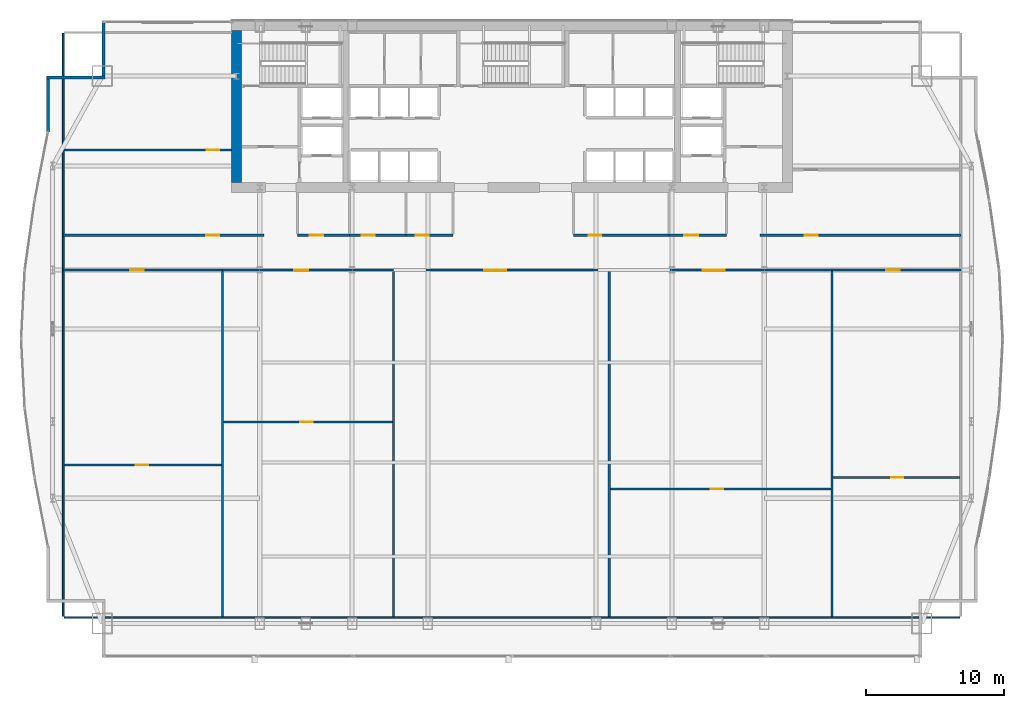
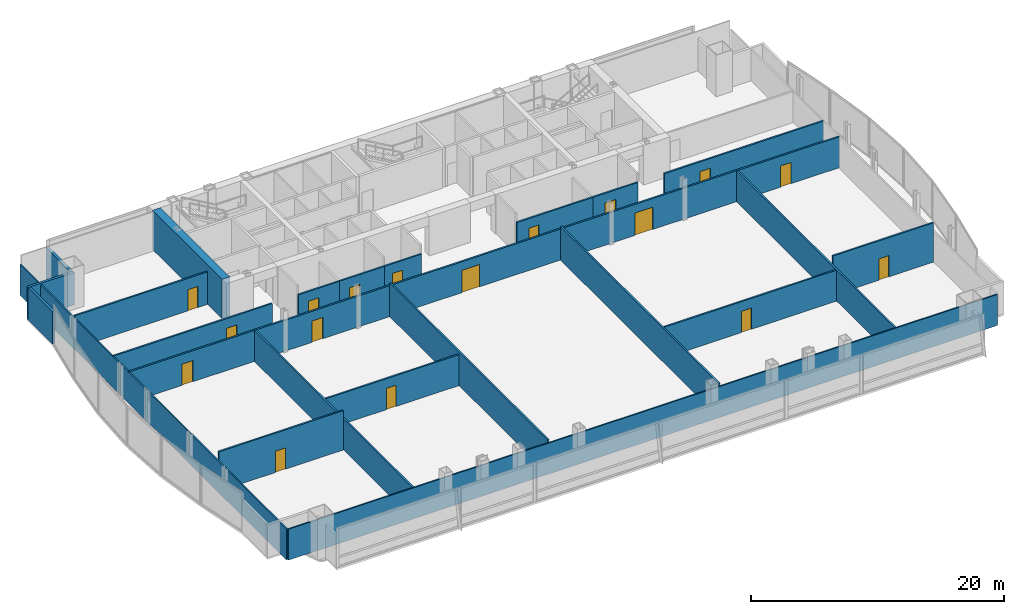
# One storey, part 28 of 34: 27 walls, 17 doors, 17 openings.
"""IFC4 building model written with IfcOpenShell, lengths in metres."""

from ifc_helpers import new_model, si_unit, direction, frame, frame_2d, origin, place, context, subcontext, project, spatial, rectangle, extrude, material, layer, layer_set, type_object, element, fill, save


model = new_model("IFC4")

# Units and contexts
model_context = context("Model", 3, precision=1e-05, world=origin(), true_north=direction((0.0, 1.0)))
body_context = subcontext(model_context, "Body", "Model", "MODEL_VIEW")
ifc_project = project(units=[si_unit("LENGTHUNIT", "METRE"), si_unit("AREAUNIT", "SQUARE_METRE"), si_unit("VOLUMEUNIT", "CUBIC_METRE"), si_unit("PLANEANGLEUNIT", "RADIAN"), si_unit("MASSUNIT", "GRAM", prefix="KILO")], contexts=[model_context])

# Site, building, storey
site_placement = place(None, origin())
site = spatial("IfcSite", under=ifc_project, at=site_placement, CompositionType="ELEMENT")
building_placement = place(site_placement, origin())
building = spatial("IfcBuilding", under=site, at=building_placement, Name="Khoronbel Lancet Exchange", CompositionType="ELEMENT")
storey_placement = place(building_placement, frame((0.0, 0.0, 102.60009765625)))
storey = spatial("IfcBuildingStorey", under=building, at=storey_placement, Name="L24", CompositionType="ELEMENT", Elevation=102.60009765625)

# Walls
ifc_material_1 = material(Name="Concrete C80/95", Category="concrete")
ifc_layer_1 = layer(ifc_material_1, 0.699951171875, Name="Concrete C80/95")
ifc_layer_set_1 = layer_set([ifc_layer_1], Name="Concrete C80/95")
wall_type_1 = type_object("IfcWallType", Name="WL-CW2", PredefinedType="SHEAR", material=ifc_layer_set_1)
wall_1_placement = place(storey_placement, frame((16.550048828125, 42.0, 0.0), z_axis=(0.0, 0.0, 1.0), x_axis=(0.0, 1.0, 0.0)))
element("IfcWall", 1, at=wall_1_placement, inside=storey, type_object=wall_type_1, Name="Level L24 rear core west shear wall", PredefinedType="SHEAR", context=body_context, shape_type="SweptSolid", body=[
    extrude(rectangle(XDim=11.0, YDim=0.699951171875, at=frame_2d((5.5, 0.0))), origin(), (0.0, 0.0, 1.0), 3.7998046875),
])
ifc_material_2 = material(Name="Precast concrete C40/50", Category="concrete")
ifc_layer_2 = layer(ifc_material_2, 0.25, Name="Precast concrete C40/50")
ifc_layer_set_2 = layer_set([ifc_layer_2], Name="Precast concrete C40/50")
wall_type_2 = type_object("IfcWallType", Name="WL-EXT250", PredefinedType="SOLIDWALL", material=ifc_layer_set_2)
wall_2_placement = place(storey_placement, frame((2.93994140625, 45.67138671875, 0.0), z_axis=(0.0, 0.0, 1.0), x_axis=(0.0, 1.0, 0.0)))
element("IfcWall", 2, at=wall_2_placement, inside=storey, type_object=wall_type_2, Name="Level L24 notched-corner limestone pier 10", PredefinedType="SOLIDWALL", context=body_context, shape_type="SweptSolid", body=[
    extrude(rectangle(XDim=3.82861328125, YDim=0.219970703125, at=frame_2d((1.914306640625, 0.0))), origin(), (0.0, 0.0, 1.0), 3.139892578125),
])
wall_3_placement = place(storey_placement, frame((2.830078125, 49.610107421875, 0.0), z_axis=(0.0, 0.0, 1.0), x_axis=(1.0, 0.0, 0.0)))
element("IfcWall", 3, at=wall_3_placement, inside=storey, type_object=wall_type_2, Name="Level L24 notched-corner limestone pier 11", PredefinedType="SOLIDWALL", context=body_context, shape_type="SweptSolid", body=[
    extrude(rectangle(XDim=4.219970703125, YDim=0.219970703125, at=frame_2d((2.10986328125, 0.0))), origin(), (0.0, 0.0, 1.0), 3.139892578125),
])
wall_4_placement = place(storey_placement, frame((6.93994140625, 49.719970703125, 0.0), z_axis=(0.0, 0.0, 1.0), x_axis=(0.0, 1.0, 0.0)))
element("IfcWall", 4, at=wall_4_placement, inside=storey, type_object=wall_type_2, Name="Level L24 notched-corner limestone pier 12", PredefinedType="SOLIDWALL", context=body_context, shape_type="SweptSolid", body=[
    extrude(rectangle(XDim=3.909912109375, YDim=0.219970703125, at=frame_2d((1.955078125, 0.0))), origin(), (0.0, 0.0, 1.0), 3.139892578125),
])

# Wall, opening, door
ifc_material_3 = material(Name="Acoustic Metal-Stud & Mineral-Wool Gypsum Partition 120 mm", Category="gypsum")
ifc_layer_3 = layer(ifc_material_3, 0.1201171875, Name="Acoustic Metal-Stud & Mineral-Wool Gypsum Partition 120 mm")
ifc_layer_set_3 = layer_set([ifc_layer_3], Name="Acoustic Metal-Stud & Mineral-Wool Gypsum Partition 120 mm")
wall_type_3 = type_object("IfcWallType", Name="WL-PRT120", PredefinedType="PARTITIONING", material=ifc_layer_set_3)
wall_5_placement = place(storey_placement, frame((4.094970703125, 44.35009765625, 0.0), z_axis=(0.0, 0.0, 1.0), x_axis=(1.0, 0.0, 0.0)))
wall_5 = element("IfcWall", 5, at=wall_5_placement, inside=storey, type_object=wall_type_3, Name="Level L24 interior partition PW-NW-H", PredefinedType="PARTITIONING", context=body_context, shape_type="SweptSolid", body=[
    extrude(rectangle(XDim=12.10498046875, YDim=0.14990234375, at=frame_2d((6.052490234375, 0.0))), origin(), (0.0, 0.0, 1.0), 3.139892578125),
])
opening_1_placement = place(wall_5_placement, frame((10.320068359375, 0.0, 0.0)))
opening_1 = element("IfcOpeningElement", 6, at=opening_1_placement, cuts=wall_5, Name="Opening D5", PredefinedType="OPENING", context=body_context, shape_type="SweptSolid", body=[
    extrude(rectangle(XDim=0.89990234375, YDim=2.050048828125, at=frame_2d((0.449951171875, 1.02490234375))), frame((0.0, 0.0849609375, 0.0), z_axis=(0.0, -1.0, 0.0), x_axis=(1.0, 0.0, 0.0)), (0.0, 0.0, 1.0), 0.169921875),
])
ifc_material_4 = material(Name="Acoustic Timber Pantry & Support Door", Category="wood")
door_type_1 = type_object("IfcDoorType", Name="DR-D5", OperationType="NOTDEFINED", PredefinedType="DOOR", material=ifc_material_4)
door_1_placement = place(opening_1_placement, origin())
door_1 = element("IfcDoor", 7, at=door_1_placement, inside=storey, type_object=door_type_1, Name="NW north room door L24-1", OperationType="SINGLE_SWING_LEFT", OverallHeight=2.050048828125, OverallWidth=0.89990234375, PredefinedType="DOOR", context=body_context, shape_type="SweptSolid", body=[
    extrude(rectangle(XDim=0.89990234375, YDim=2.050048828125, at=frame_2d((0.449951171875, 1.02490234375))), frame((0.0, 0.02490234375, 0.0), z_axis=(0.0, -1.0, 0.0), x_axis=(1.0, 0.0, 0.0)), (0.0, 0.0, 1.0), 0.050048828125),
])
fill(opening_1, door_1)

wall_6_placement = place(storey_placement, frame((4.094970703125, 21.601806640625, 0.0), z_axis=(0.0, 0.0, 1.0), x_axis=(1.0, 0.0, 0.0)))
wall_6 = element("IfcWall", 8, at=wall_6_placement, inside=storey, type_object=wall_type_3, Name="Level L24 interior partition PW-Z1S-H1", PredefinedType="PARTITIONING", context=body_context, shape_type="SweptSolid", body=[
    extrude(rectangle(XDim=11.361083984375, YDim=0.14990234375, at=frame_2d((5.6806640625, 0.0))), origin(), (0.0, 0.0, 1.0), 3.7998046875),
])
opening_2_placement = place(wall_6_placement, frame((5.177734375, 0.0, 0.0)))
opening_2 = element("IfcOpeningElement", 9, at=opening_2_placement, cuts=wall_6, Name="Opening D5", PredefinedType="OPENING", context=body_context, shape_type="SweptSolid", body=[
    extrude(rectangle(XDim=0.89990234375, YDim=2.050048828125, at=frame_2d((0.449951171875, 1.02490234375))), frame((0.0, 0.0849609375, 0.0), z_axis=(0.0, -1.0, 0.0), x_axis=(1.0, 0.0, 0.0)), (0.0, 0.0, 1.0), 0.169921875),
])
door_2_placement = place(opening_2_placement, origin())
door_2 = element("IfcDoor", 10, at=door_2_placement, inside=storey, type_object=door_type_1, Name="Z1S inner door 1 L24-1", OperationType="SINGLE_SWING_RIGHT", OverallHeight=2.050048828125, OverallWidth=0.89990234375, PredefinedType="DOOR", context=body_context, shape_type="SweptSolid", body=[
    extrude(rectangle(XDim=0.89990234375, YDim=2.050048828125, at=frame_2d((0.449951171875, 1.02490234375))), frame((0.0, 0.02490234375, 0.0), z_axis=(0.0, -1.0, 0.0), x_axis=(1.0, 0.0, 0.0)), (0.0, 0.0, 1.0), 0.050048828125),
])
fill(opening_2, door_2)

wall_7_placement = place(storey_placement, frame((15.6162109375, 24.714599609375, 0.0), z_axis=(0.0, 0.0, 1.0), x_axis=(1.0, 0.0, 0.0)))
wall_7 = element("IfcWall", 11, at=wall_7_placement, inside=storey, type_object=wall_type_3, Name="Level L24 interior partition PW-Z1S-H2", PredefinedType="PARTITIONING", context=body_context, shape_type="SweptSolid", body=[
    extrude(rectangle(XDim=12.185302734375, YDim=0.14990234375, at=frame_2d((6.0927734375, 0.0))), origin(), (0.0, 0.0, 1.0), 2.989990234375),
])
opening_3_placement = place(wall_7_placement, frame((5.555419921875, 0.0, 0.0)))
opening_3 = element("IfcOpeningElement", 12, at=opening_3_placement, cuts=wall_7, Name="Opening D5", PredefinedType="OPENING", context=body_context, shape_type="SweptSolid", body=[
    extrude(rectangle(XDim=0.89990234375, YDim=2.050048828125, at=frame_2d((0.449951171875, 1.02490234375))), frame((0.0, 0.0849609375, 0.0), z_axis=(0.0, -1.0, 0.0), x_axis=(1.0, 0.0, 0.0)), (0.0, 0.0, 1.0), 0.169921875),
])
door_3_placement = place(opening_3_placement, origin())
door_3 = element("IfcDoor", 13, at=door_3_placement, inside=storey, type_object=door_type_1, Name="Z1S inner door 2 L24-1", OperationType="SINGLE_SWING_RIGHT", OverallHeight=2.050048828125, OverallWidth=0.89990234375, PredefinedType="DOOR", context=body_context, shape_type="SweptSolid", body=[
    extrude(rectangle(XDim=0.89990234375, YDim=2.050048828125, at=frame_2d((0.449951171875, 1.02490234375))), frame((0.0, 0.02490234375, 0.0), z_axis=(0.0, -1.0, 0.0), x_axis=(1.0, 0.0, 0.0)), (0.0, 0.0, 1.0), 0.050048828125),
])
fill(opening_3, door_3)

wall_8_placement = place(storey_placement, frame((43.555419921875, 19.880615234375, 0.0), z_axis=(0.0, 0.0, 1.0), x_axis=(1.0, 0.0, 0.0)))
wall_8 = element("IfcWall", 14, at=wall_8_placement, inside=storey, type_object=wall_type_3, Name="Level L24 interior partition PW-Z1S-H4", PredefinedType="PARTITIONING", context=body_context, shape_type="SweptSolid", body=[
    extrude(rectangle(XDim=15.92138671875, YDim=0.14990234375, at=frame_2d((7.960693359375, 0.0))), origin(), (0.0, 0.0, 1.0), 2.989990234375),
])
opening_4_placement = place(wall_8_placement, frame((7.236572265625, 0.0, 0.0)))
opening_4 = element("IfcOpeningElement", 15, at=opening_4_placement, cuts=wall_8, Name="Opening D5", PredefinedType="OPENING", context=body_context, shape_type="SweptSolid", body=[
    extrude(rectangle(XDim=0.89990234375, YDim=2.050048828125, at=frame_2d((0.449951171875, 1.02490234375))), frame((0.0, 0.0849609375, 0.0), z_axis=(0.0, -1.0, 0.0), x_axis=(1.0, 0.0, 0.0)), (0.0, 0.0, 1.0), 0.169921875),
])
door_4_placement = place(opening_4_placement, origin())
door_4 = element("IfcDoor", 16, at=door_4_placement, inside=storey, type_object=door_type_1, Name="Z1S inner door 4 L24-1", OperationType="SINGLE_SWING_LEFT", OverallHeight=2.050048828125, OverallWidth=0.89990234375, PredefinedType="DOOR", context=body_context, shape_type="SweptSolid", body=[
    extrude(rectangle(XDim=0.89990234375, YDim=2.050048828125, at=frame_2d((0.449951171875, 1.02490234375))), frame((0.0, 0.02490234375, 0.0), z_axis=(0.0, -1.0, 0.0), x_axis=(1.0, 0.0, 0.0)), (0.0, 0.0, 1.0), 0.050048828125),
])
fill(opening_4, door_4)

wall_9_placement = place(storey_placement, frame((59.636962890625, 20.701904296875, 0.0), z_axis=(0.0, 0.0, 1.0), x_axis=(1.0, 0.0, 0.0)))
wall_9 = element("IfcWall", 17, at=wall_9_placement, inside=storey, type_object=wall_type_3, Name="Level L24 interior partition PW-Z1S-H5", PredefinedType="PARTITIONING", context=body_context, shape_type="SweptSolid", body=[
    extrude(rectangle(XDim=9.16796875, YDim=0.14990234375, at=frame_2d((4.583984375, 0.0))), origin(), (0.0, 0.0, 1.0), 3.7998046875),
])
opening_5_placement = place(wall_9_placement, frame((4.19091796875, 0.0, 0.0)))
opening_5 = element("IfcOpeningElement", 18, at=opening_5_placement, cuts=wall_9, Name="Opening D5", PredefinedType="OPENING", context=body_context, shape_type="SweptSolid", body=[
    extrude(rectangle(XDim=0.89990234375, YDim=2.050048828125, at=frame_2d((0.449951171875, 1.02490234375))), frame((0.0, 0.0849609375, 0.0), z_axis=(0.0, -1.0, 0.0), x_axis=(1.0, 0.0, 0.0)), (0.0, 0.0, 1.0), 0.169921875),
])
door_5_placement = place(opening_5_placement, origin())
door_5 = element("IfcDoor", 19, at=door_5_placement, inside=storey, type_object=door_type_1, Name="Z1S inner door 5 L24-1", OperationType="SINGLE_SWING_LEFT", OverallHeight=2.050048828125, OverallWidth=0.89990234375, PredefinedType="DOOR", context=body_context, shape_type="SweptSolid", body=[
    extrude(rectangle(XDim=0.89990234375, YDim=2.050048828125, at=frame_2d((0.449951171875, 1.02490234375))), frame((0.0, 0.02490234375, 0.0), z_axis=(0.0, -1.0, 0.0), x_axis=(1.0, 0.0, 0.0)), (0.0, 0.0, 1.0), 0.050048828125),
])
fill(opening_5, door_5)

# Walls
wall_10_placement = place(storey_placement, frame((4.030029296875, 10.6650390625, 0.0), z_axis=(0.0, 0.0, 1.0), x_axis=(0.0, 1.0, 0.0)))
element("IfcWall", 20, at=wall_10_placement, inside=storey, type_object=wall_type_3, Name="Level L24 interior partition PW-LIN-W", PredefinedType="PARTITIONING", context=body_context, shape_type="SweptSolid", body=[
    extrude(rectangle(XDim=42.10986328125, YDim=0.1201171875, at=frame_2d((21.054931640625, 0.0))), origin(), (0.0, 0.0, 1.0), 2.989990234375),
])
wall_11_placement = place(storey_placement, frame((4.094970703125, 10.60009765625, 0.0), z_axis=(0.0, 0.0, 1.0), x_axis=(1.0, 0.0, 0.0)))
element("IfcWall", 21, at=wall_11_placement, inside=storey, type_object=wall_type_3, Name="Level L24 interior partition PW-LIN-S", PredefinedType="PARTITIONING", context=body_context, shape_type="SweptSolid", body=[
    extrude(rectangle(XDim=64.7099609375, YDim=0.1201171875, at=frame_2d((32.35498046875, 0.0))), origin(), (0.0, 0.0, 1.0), 2.989990234375),
])

# Wall, opening, door
ifc_material_5 = material(Name="Fire-Rated Twin-Stud Acoustic Gypsum Partition 150 mm", Category="gypsum")
ifc_layer_4 = layer(ifc_material_5, 0.14990234375, Name="Fire-Rated Twin-Stud Acoustic Gypsum Partition 150 mm")
ifc_layer_set_4 = layer_set([ifc_layer_4], Name="Fire-Rated Twin-Stud Acoustic Gypsum Partition 150 mm")
wall_type_4 = type_object("IfcWallType", Name="WL-PRT150C", PredefinedType="PARTITIONING", material=ifc_layer_set_4)
wall_12_placement = place(storey_placement, frame((20.949951171875, 38.199951171875, 0.0), z_axis=(0.0, 0.0, 1.0), x_axis=(1.0, 0.0, 0.0)))
wall_12 = element("IfcWall", 22, at=wall_12_placement, inside=storey, type_object=wall_type_4, Name="Level L24 interior partition PW-WC-S1", PredefinedType="PARTITIONING", context=body_context, shape_type="SweptSolid", body=[
    extrude(rectangle(XDim=3.75, YDim=0.14990234375, at=frame_2d((1.875, 0.0))), origin(), (0.0, 0.0, 1.0), 2.989990234375),
])
opening_6_placement = place(wall_12_placement, frame((0.89990234375, 0.0, 0.0)))
opening_6 = element("IfcOpeningElement", 23, at=opening_6_placement, cuts=wall_12, Name="Opening D4", PredefinedType="OPENING", context=body_context, shape_type="SweptSolid", body=[
    extrude(rectangle(XDim=0.949951171875, YDim=2.050048828125, at=frame_2d((0.47509765625, 1.02490234375))), frame((0.0, 0.0849609375, 0.0), z_axis=(0.0, -1.0, 0.0), x_axis=(1.0, 0.0, 0.0)), (0.0, 0.0, 1.0), 0.169921875),
])
ifc_material_6 = material(Name="Moisture-Resistant HPL Washroom Door", Category="wood")
door_type_2 = type_object("IfcDoorType", Name="DR-D4", OperationType="NOTDEFINED", PredefinedType="DOOR", material=ifc_material_6)
door_6_placement = place(opening_6_placement, origin())
door_6 = element("IfcDoor", 24, at=door_6_placement, inside=storey, type_object=door_type_2, Name="Male washroom door L24-1", OperationType="SINGLE_SWING_RIGHT", OverallHeight=2.050048828125, OverallWidth=0.949951171875, PredefinedType="DOOR", context=body_context, shape_type="SweptSolid", body=[
    extrude(rectangle(XDim=0.949951171875, YDim=2.050048828125, at=frame_2d((0.47509765625, 1.02490234375))), frame((0.0, 0.02490234375, 0.0), z_axis=(0.0, -1.0, 0.0), x_axis=(1.0, 0.0, 0.0)), (0.0, 0.0, 1.0), 0.050048828125),
])
fill(opening_6, door_6)

wall_13_placement = place(storey_placement, frame((24.699951171875, 38.199951171875, 0.0), z_axis=(0.0, 0.0, 1.0), x_axis=(1.0, 0.0, 0.0)))
wall_13 = element("IfcWall", 25, at=wall_13_placement, inside=storey, type_object=wall_type_4, Name="Level L24 interior partition PW-WC-S2", PredefinedType="PARTITIONING", context=body_context, shape_type="SweptSolid", body=[
    extrude(rectangle(XDim=4.10009765625, YDim=0.14990234375, at=frame_2d((2.050048828125, 0.0))), origin(), (0.0, 0.0, 1.0), 2.989990234375),
])
opening_7_placement = place(wall_13_placement, frame((0.89990234375, 0.0, 0.0)))
opening_7 = element("IfcOpeningElement", 26, at=opening_7_placement, cuts=wall_13, Name="Opening D4", PredefinedType="OPENING", context=body_context, shape_type="SweptSolid", body=[
    extrude(rectangle(XDim=0.949951171875, YDim=2.050048828125, at=frame_2d((0.47509765625, 1.02490234375))), frame((0.0, 0.0849609375, 0.0), z_axis=(0.0, -1.0, 0.0), x_axis=(1.0, 0.0, 0.0)), (0.0, 0.0, 1.0), 0.169921875),
])
door_7_placement = place(opening_7_placement, origin())
door_7 = element("IfcDoor", 27, at=door_7_placement, inside=storey, type_object=door_type_2, Name="Female washroom door L24-1", OperationType="SINGLE_SWING_LEFT", OverallHeight=2.050048828125, OverallWidth=0.949951171875, PredefinedType="DOOR", context=body_context, shape_type="SweptSolid", body=[
    extrude(rectangle(XDim=0.949951171875, YDim=2.050048828125, at=frame_2d((0.47509765625, 1.02490234375))), frame((0.0, 0.02490234375, 0.0), z_axis=(0.0, -1.0, 0.0), x_axis=(1.0, 0.0, 0.0)), (0.0, 0.0, 1.0), 0.050048828125),
])
fill(opening_7, door_7)

wall_14_placement = place(storey_placement, frame((28.800048828125, 38.199951171875, 0.0), z_axis=(0.0, 0.0, 1.0), x_axis=(1.0, 0.0, 0.0)))
wall_14 = element("IfcWall", 28, at=wall_14_placement, inside=storey, type_object=wall_type_4, Name="Level L24 interior partition PW-WC-S3", PredefinedType="PARTITIONING", context=body_context, shape_type="SweptSolid", body=[
    extrude(rectangle(XDim=3.3798828125, YDim=0.14990234375, at=frame_2d((1.68994140625, 0.0))), origin(), (0.0, 0.0, 1.0), 2.989990234375),
])
opening_8_placement = place(wall_14_placement, frame((0.699951171875, 0.0, 0.0)))
opening_8 = element("IfcOpeningElement", 29, at=opening_8_placement, cuts=wall_14, Name="Opening D4", PredefinedType="OPENING", context=body_context, shape_type="SweptSolid", body=[
    extrude(rectangle(XDim=0.949951171875, YDim=2.050048828125, at=frame_2d((0.47509765625, 1.02490234375))), frame((0.0, 0.0849609375, 0.0), z_axis=(0.0, -1.0, 0.0), x_axis=(1.0, 0.0, 0.0)), (0.0, 0.0, 1.0), 0.169921875),
])
door_8_placement = place(opening_8_placement, origin())
door_8 = element("IfcDoor", 30, at=door_8_placement, inside=storey, type_object=door_type_2, Name="Accessible WC door L24-1", OperationType="SINGLE_SWING_RIGHT", OverallHeight=2.050048828125, OverallWidth=0.949951171875, PredefinedType="DOOR", context=body_context, shape_type="SweptSolid", body=[
    extrude(rectangle(XDim=0.949951171875, YDim=2.050048828125, at=frame_2d((0.47509765625, 1.02490234375))), frame((0.0, 0.02490234375, 0.0), z_axis=(0.0, -1.0, 0.0), x_axis=(1.0, 0.0, 0.0)), (0.0, 0.0, 1.0), 0.050048828125),
])
fill(opening_8, door_8)

wall_15_placement = place(storey_placement, frame((40.8798828125, 38.199951171875, 0.0), z_axis=(0.0, 0.0, 1.0), x_axis=(1.0, 0.0, 0.0)))
wall_15 = element("IfcWall", 31, at=wall_15_placement, inside=storey, type_object=wall_type_4, Name="Level L24 interior partition PW-NP-S1", PredefinedType="PARTITIONING", context=body_context, shape_type="SweptSolid", body=[
    extrude(rectangle(XDim=6.920166015625, YDim=0.14990234375, at=frame_2d((3.4599609375, 0.0))), origin(), (0.0, 0.0, 1.0), 2.989990234375),
])
opening_9_placement = place(wall_15_placement, frame((1.10009765625, 0.0, 0.0)))
opening_9 = element("IfcOpeningElement", 32, at=opening_9_placement, cuts=wall_15, Name="Opening D5", PredefinedType="OPENING", context=body_context, shape_type="SweptSolid", body=[
    extrude(rectangle(XDim=0.89990234375, YDim=2.050048828125, at=frame_2d((0.449951171875, 1.02490234375))), frame((0.0, 0.0849609375, 0.0), z_axis=(0.0, -1.0, 0.0), x_axis=(1.0, 0.0, 0.0)), (0.0, 0.0, 1.0), 0.169921875),
])
door_9_placement = place(opening_9_placement, origin())
door_9 = element("IfcDoor", 33, at=door_9_placement, inside=storey, type_object=door_type_1, Name="Floor refreshment pantry door L24-1", OperationType="SINGLE_SWING_LEFT", OverallHeight=2.050048828125, OverallWidth=0.89990234375, PredefinedType="DOOR", context=body_context, shape_type="SweptSolid", body=[
    extrude(rectangle(XDim=0.89990234375, YDim=2.050048828125, at=frame_2d((0.449951171875, 1.02490234375))), frame((0.0, 0.02490234375, 0.0), z_axis=(0.0, -1.0, 0.0), x_axis=(1.0, 0.0, 0.0)), (0.0, 0.0, 1.0), 0.050048828125),
])
fill(opening_9, door_9)

wall_16_placement = place(storey_placement, frame((47.800048828125, 38.199951171875, 0.0), z_axis=(0.0, 0.0, 1.0), x_axis=(1.0, 0.0, 0.0)))
wall_16 = element("IfcWall", 34, at=wall_16_placement, inside=storey, type_object=wall_type_4, Name="Level L24 interior partition PW-NP-S2", PredefinedType="PARTITIONING", context=body_context, shape_type="SweptSolid", body=[
    extrude(rectangle(XDim=4.14990234375, YDim=0.14990234375, at=frame_2d((2.074951171875, 0.0))), origin(), (0.0, 0.0, 1.0), 2.989990234375),
])
opening_10_placement = place(wall_16_placement, frame((1.10009765625, 0.0, 0.0)))
opening_10 = element("IfcOpeningElement", 35, at=opening_10_placement, cuts=wall_16, Name="Opening D2", PredefinedType="OPENING", context=body_context, shape_type="SweptSolid", body=[
    extrude(rectangle(XDim=1.0, YDim=2.050048828125, at=frame_2d((0.5, 1.02490234375))), frame((0.0, 0.0849609375, 0.0), z_axis=(0.0, -1.0, 0.0), x_axis=(1.0, 0.0, 0.0)), (0.0, 0.0, 1.0), 0.169921875),
])
ifc_material_7 = material(Name="Acoustic Veneered Timber & Bronze Frame Door", Category="wood")
door_type_3 = type_object("IfcDoorType", Name="DR-D2", OperationType="NOTDEFINED", PredefinedType="DOOR", material=ifc_material_7)
door_10_placement = place(opening_10_placement, origin())
door_10 = element("IfcDoor", 36, at=door_10_placement, inside=storey, type_object=door_type_3, Name="Floor store door L24-1", OperationType="SINGLE_SWING_RIGHT", OverallHeight=2.050048828125, OverallWidth=1.0, PredefinedType="DOOR", context=body_context, shape_type="SweptSolid", body=[
    extrude(rectangle(XDim=1.0, YDim=2.050048828125, at=frame_2d((0.5, 1.02490234375))), frame((0.0, 0.02490234375, 0.0), z_axis=(0.0, -1.0, 0.0), x_axis=(1.0, 0.0, 0.0)), (0.0, 0.0, 1.0), 0.050048828125),
])
fill(opening_10, door_10)

wall_17_placement = place(storey_placement, frame((4.030029296875, 38.199951171875, 0.0), z_axis=(0.0, 0.0, 1.0), x_axis=(1.0, 0.0, 0.0)))
wall_17 = element("IfcWall", 37, at=wall_17_placement, inside=storey, type_object=wall_type_4, Name="Level L24 interior partition PW-NW-S", PredefinedType="PARTITIONING", context=body_context, shape_type="SweptSolid", body=[
    extrude(rectangle(XDim=14.52001953125, YDim=0.14990234375, at=frame_2d((7.260009765625, 0.0))), origin(), (0.0, 0.0, 1.0), 2.989990234375),
])
opening_11_placement = place(wall_17_placement, frame((10.320068359375, 0.0, 0.0)))
opening_11 = element("IfcOpeningElement", 38, at=opening_11_placement, cuts=wall_17, Name="Opening D1", PredefinedType="OPENING", context=body_context, shape_type="SweptSolid", body=[
    extrude(rectangle(XDim=0.949951171875, YDim=2.050048828125, at=frame_2d((0.47509765625, 1.02490234375))), frame((0.0, 0.0849609375, 0.0), z_axis=(0.0, -1.0, 0.0), x_axis=(1.0, 0.0, 0.0)), (0.0, 0.0, 1.0), 0.169921875),
])
door_type_4 = type_object("IfcDoorType", Name="DR-D1", OperationType="NOTDEFINED", PredefinedType="DOOR", material=ifc_material_7)
door_11_placement = place(opening_11_placement, origin())
door_11 = element("IfcDoor", 39, at=door_11_placement, inside=storey, type_object=door_type_4, Name="NW corner room door L24-1", OperationType="SINGLE_SWING_LEFT", OverallHeight=2.050048828125, OverallWidth=0.949951171875, PredefinedType="DOOR", context=body_context, shape_type="SweptSolid", body=[
    extrude(rectangle(XDim=0.949951171875, YDim=2.050048828125, at=frame_2d((0.47509765625, 1.02490234375))), frame((0.0, 0.02490234375, 0.0), z_axis=(0.0, -1.0, 0.0), x_axis=(1.0, 0.0, 0.0)), (0.0, 0.0, 1.0), 0.050048828125),
])
fill(opening_11, door_11)

wall_18_placement = place(storey_placement, frame((54.35009765625, 38.199951171875, 0.0), z_axis=(0.0, 0.0, 1.0), x_axis=(1.0, 0.0, 0.0)))
wall_18 = element("IfcWall", 40, at=wall_18_placement, inside=storey, type_object=wall_type_4, Name="Level L24 interior partition PW-NE-S", PredefinedType="PARTITIONING", context=body_context, shape_type="SweptSolid", body=[
    extrude(rectangle(XDim=14.52001953125, YDim=0.14990234375, at=frame_2d((7.260009765625, 0.0))), origin(), (0.0, 0.0, 1.0), 2.989990234375),
])
opening_12_placement = place(wall_18_placement, frame((3.25, 0.0, 0.0)))
opening_12 = element("IfcOpeningElement", 41, at=opening_12_placement, cuts=wall_18, Name="Opening D1", PredefinedType="OPENING", context=body_context, shape_type="SweptSolid", body=[
    extrude(rectangle(XDim=0.949951171875, YDim=2.050048828125, at=frame_2d((0.47509765625, 1.02490234375))), frame((0.0, 0.0849609375, 0.0), z_axis=(0.0, -1.0, 0.0), x_axis=(1.0, 0.0, 0.0)), (0.0, 0.0, 1.0), 0.169921875),
])
door_12_placement = place(opening_12_placement, origin())
door_12 = element("IfcDoor", 42, at=door_12_placement, inside=storey, type_object=door_type_4, Name="NE corner room door L24-1", OperationType="SINGLE_SWING_RIGHT", OverallHeight=2.050048828125, OverallWidth=0.949951171875, PredefinedType="DOOR", context=body_context, shape_type="SweptSolid", body=[
    extrude(rectangle(XDim=0.949951171875, YDim=2.050048828125, at=frame_2d((0.47509765625, 1.02490234375))), frame((0.0, 0.02490234375, 0.0), z_axis=(0.0, -1.0, 0.0), x_axis=(1.0, 0.0, 0.0)), (0.0, 0.0, 1.0), 0.050048828125),
])
fill(opening_12, door_12)

# Walls
wall_19_placement = place(storey_placement, frame((15.5361328125, 10.6650390625, 0.0), z_axis=(0.0, 0.0, 1.0), x_axis=(0.0, 1.0, 0.0)))
element("IfcWall", 43, at=wall_19_placement, inside=storey, type_object=wall_type_4, Name="Level L24 interior partition PW-Z1S-V1", PredefinedType="PARTITIONING", context=body_context, shape_type="SweptSolid", body=[
    extrude(rectangle(XDim=24.949951171875, YDim=0.14990234375, at=frame_2d((12.47509765625, 0.0))), origin(), (0.0, 0.0, 1.0), 2.989990234375),
])
for number, where, z_axis, x_axis, name in (
    (44, (27.88134765625, 10.6650390625, 0.0), (0.0, 0.0, 1.0), (0.0, 1.0, 0.0), "Level L24 interior partition PW-Z1S-V2"),
    (45, (43.4755859375, 10.6650390625, 0.0), (0.0, 0.0, 1.0), (0.0, 1.0, 0.0), "Level L24 interior partition PW-Z1S-V3"),
):
    element("IfcWall", number, at=place(storey_placement, frame(where, z_axis=z_axis, x_axis=x_axis)), inside=storey, type_object=wall_type_4, Name=name, PredefinedType="PARTITIONING", context=body_context, shape_type="SweptSolid", body=[
        extrude(rectangle(XDim=24.949951171875, YDim=0.14990234375, at=frame_2d((12.47509765625, 0.0))), origin(), (0.0, 0.0, 1.0), 3.239990234375),
    ])
wall_20_placement = place(storey_placement, frame((59.556884765625, 10.6650390625, 0.0), z_axis=(0.0, 0.0, 1.0), x_axis=(0.0, 1.0, 0.0)))
element("IfcWall", 46, at=wall_20_placement, inside=storey, type_object=wall_type_4, Name="Level L24 interior partition PW-Z1S-V4", PredefinedType="PARTITIONING", context=body_context, shape_type="SweptSolid", body=[
    extrude(rectangle(XDim=24.949951171875, YDim=0.14990234375, at=frame_2d((12.47509765625, 0.0))), origin(), (0.0, 0.0, 1.0), 2.989990234375),
])

# Wall, opening, door
ifc_material_8 = material(Name="Fire-Rated Twin-Stud Acoustic Gypsum Partition 160 mm", Category="gypsum")
ifc_layer_5 = layer(ifc_material_8, 0.159912109375, Name="Fire-Rated Twin-Stud Acoustic Gypsum Partition 160 mm")
ifc_layer_set_5 = layer_set([ifc_layer_5], Name="Fire-Rated Twin-Stud Acoustic Gypsum Partition 160 mm")
wall_type_5 = type_object("IfcWallType", Name="WL-PRT160C", PredefinedType="PARTITIONING", material=ifc_layer_set_5)
wall_21_placement = place(storey_placement, frame((4.030029296875, 35.699951171875, 0.0), z_axis=(0.0, 0.0, 1.0), x_axis=(1.0, 0.0, 0.0)))
wall_21 = element("IfcWall", 47, at=wall_21_placement, inside=storey, type_object=wall_type_5, Name="Level L24 interior partition PW-Z1S-COR1", PredefinedType="PARTITIONING", context=body_context, shape_type="SweptSolid", body=[
    extrude(rectangle(XDim=11.506103515625, YDim=0.159912109375, at=frame_2d((5.7529296875, 0.0))), origin(), (0.0, 0.0, 1.0), 2.989990234375),
])
opening_13_placement = place(wall_21_placement, frame((4.83251953125, 0.0, 0.0)))
opening_13 = element("IfcOpeningElement", 48, at=opening_13_placement, cuts=wall_21, Name="Opening D2", PredefinedType="OPENING", context=body_context, shape_type="SweptSolid", body=[
    extrude(rectangle(XDim=1.0, YDim=2.050048828125, at=frame_2d((0.5, 1.02490234375))), frame((0.0, 0.08984375, 0.0), z_axis=(0.0, -1.0, 0.0), x_axis=(1.0, 0.0, 0.0)), (0.0, 0.0, 1.0), 0.179931640625),
])
door_13_placement = place(opening_13_placement, origin())
door_13 = element("IfcDoor", 49, at=door_13_placement, inside=storey, type_object=door_type_3, Name="Z1S bay 1 door L24-1", OperationType="SINGLE_SWING_LEFT", OverallHeight=2.050048828125, OverallWidth=1.0, PredefinedType="DOOR", context=body_context, shape_type="SweptSolid", body=[
    extrude(rectangle(XDim=1.0, YDim=2.050048828125, at=frame_2d((0.5, 1.02490234375))), frame((0.0, 0.02490234375, 0.0), z_axis=(0.0, -1.0, 0.0), x_axis=(1.0, 0.0, 0.0)), (0.0, 0.0, 1.0), 0.050048828125),
])
fill(opening_13, door_13)

wall_22_placement = place(storey_placement, frame((15.5361328125, 35.699951171875, 0.0), z_axis=(0.0, 0.0, 1.0), x_axis=(1.0, 0.0, 0.0)))
wall_22 = element("IfcWall", 50, at=wall_22_placement, inside=storey, type_object=wall_type_5, Name="Level L24 interior partition PW-Z1S-COR2", PredefinedType="PARTITIONING", context=body_context, shape_type="SweptSolid", body=[
    extrude(rectangle(XDim=12.34521484375, YDim=0.159912109375, at=frame_2d((6.172607421875, 0.0))), origin(), (0.0, 0.0, 1.0), 2.989990234375),
])
opening_14_placement = place(wall_22_placement, frame((5.18505859375, 0.0, 0.0)))
opening_14 = element("IfcOpeningElement", 51, at=opening_14_placement, cuts=wall_22, Name="Opening D2", PredefinedType="OPENING", context=body_context, shape_type="SweptSolid", body=[
    extrude(rectangle(XDim=1.0, YDim=2.050048828125, at=frame_2d((0.5, 1.02490234375))), frame((0.0, 0.08984375, 0.0), z_axis=(0.0, -1.0, 0.0), x_axis=(1.0, 0.0, 0.0)), (0.0, 0.0, 1.0), 0.179931640625),
])
door_14_placement = place(opening_14_placement, origin())
door_14 = element("IfcDoor", 52, at=door_14_placement, inside=storey, type_object=door_type_3, Name="Z1S bay 2 door L24-1", OperationType="SINGLE_SWING_LEFT", OverallHeight=2.050048828125, OverallWidth=1.0, PredefinedType="DOOR", context=body_context, shape_type="SweptSolid", body=[
    extrude(rectangle(XDim=1.0, YDim=2.050048828125, at=frame_2d((0.5, 1.02490234375))), frame((0.0, 0.02490234375, 0.0), z_axis=(0.0, -1.0, 0.0), x_axis=(1.0, 0.0, 0.0)), (0.0, 0.0, 1.0), 0.050048828125),
])
fill(opening_14, door_14)

wall_23_placement = place(storey_placement, frame((27.88134765625, 35.699951171875, 0.0), z_axis=(0.0, 0.0, 1.0), x_axis=(1.0, 0.0, 0.0)))
wall_23 = element("IfcWall", 53, at=wall_23_placement, inside=storey, type_object=wall_type_5, Name="Level L24 interior partition PW-Z1S-COR3", PredefinedType="PARTITIONING", context=body_context, shape_type="SweptSolid", body=[
    extrude(rectangle(XDim=15.59423828125, YDim=0.159912109375, at=frame_2d((7.797119140625, 0.0))), origin(), (0.0, 0.0, 1.0), 2.989990234375),
])
opening_15_placement = place(wall_23_placement, frame((6.549560546875, 0.0, 0.0)))
opening_15 = element("IfcOpeningElement", 54, at=opening_15_placement, cuts=wall_23, Name="Opening D3", PredefinedType="OPENING", context=body_context, shape_type="SweptSolid", body=[
    extrude(rectangle(XDim=1.60009765625, YDim=2.14990234375, at=frame_2d((0.800048828125, 1.074951171875))), frame((0.0, 0.08984375, 0.0), z_axis=(0.0, -1.0, 0.0), x_axis=(1.0, 0.0, 0.0)), (0.0, 0.0, 1.0), 0.179931640625),
])
ifc_material_9 = material(Name="Glazed Bronze-Framed Double Suite Door", Category="aluminium")
door_type_5 = type_object("IfcDoorType", Name="DR-D3", OperationType="NOTDEFINED", PredefinedType="DOOR", material=ifc_material_9)
door_15_placement = place(opening_15_placement, origin())
door_15 = element("IfcDoor", 55, at=door_15_placement, inside=storey, type_object=door_type_5, Name="Z1S bay 3 door L24-1", OperationType="DOUBLE_DOOR_SINGLE_SWING", OverallHeight=2.14990234375, OverallWidth=1.60009765625, PredefinedType="DOOR", context=body_context, shape_type="SweptSolid", body=[
    extrude(rectangle(XDim=1.60009765625, YDim=2.14990234375, at=frame_2d((0.800048828125, 1.074951171875))), frame((0.0, 0.02490234375, 0.0), z_axis=(0.0, -1.0, 0.0), x_axis=(1.0, 0.0, 0.0)), (0.0, 0.0, 1.0), 0.050048828125),
])
fill(opening_15, door_15)

wall_24_placement = place(storey_placement, frame((43.4755859375, 35.699951171875, 0.0), z_axis=(0.0, 0.0, 1.0), x_axis=(1.0, 0.0, 0.0)))
wall_24 = element("IfcWall", 56, at=wall_24_placement, inside=storey, type_object=wall_type_5, Name="Level L24 interior partition PW-Z1S-COR4", PredefinedType="PARTITIONING", context=body_context, shape_type="SweptSolid", body=[
    extrude(rectangle(XDim=16.081298828125, YDim=0.159912109375, at=frame_2d((8.04052734375, 0.0))), origin(), (0.0, 0.0, 1.0), 2.989990234375),
])
opening_16_placement = place(wall_24_placement, frame((6.754150390625, 0.0, 0.0)))
opening_16 = element("IfcOpeningElement", 57, at=opening_16_placement, cuts=wall_24, Name="Opening D3", PredefinedType="OPENING", context=body_context, shape_type="SweptSolid", body=[
    extrude(rectangle(XDim=1.60009765625, YDim=2.14990234375, at=frame_2d((0.800048828125, 1.074951171875))), frame((0.0, 0.08984375, 0.0), z_axis=(0.0, -1.0, 0.0), x_axis=(1.0, 0.0, 0.0)), (0.0, 0.0, 1.0), 0.179931640625),
])
door_16_placement = place(opening_16_placement, origin())
door_16 = element("IfcDoor", 58, at=door_16_placement, inside=storey, type_object=door_type_5, Name="Z1S bay 4 door L24-1", OperationType="DOUBLE_DOOR_SINGLE_SWING", OverallHeight=2.14990234375, OverallWidth=1.60009765625, PredefinedType="DOOR", context=body_context, shape_type="SweptSolid", body=[
    extrude(rectangle(XDim=1.60009765625, YDim=2.14990234375, at=frame_2d((0.800048828125, 1.074951171875))), frame((0.0, 0.02490234375, 0.0), z_axis=(0.0, -1.0, 0.0), x_axis=(1.0, 0.0, 0.0)), (0.0, 0.0, 1.0), 0.050048828125),
])
fill(opening_16, door_16)

wall_25_placement = place(storey_placement, frame((59.556884765625, 35.699951171875, 0.0), z_axis=(0.0, 0.0, 1.0), x_axis=(1.0, 0.0, 0.0)))
wall_25 = element("IfcWall", 59, at=wall_25_placement, inside=storey, type_object=wall_type_5, Name="Level L24 interior partition PW-Z1S-COR5", PredefinedType="PARTITIONING", context=body_context, shape_type="SweptSolid", body=[
    extrude(rectangle(XDim=9.313232421875, YDim=0.159912109375, at=frame_2d((4.65673828125, 0.0))), origin(), (0.0, 0.0, 1.0), 2.989990234375),
])
opening_17_placement = place(wall_25_placement, frame((3.91162109375, 0.0, 0.0)))
opening_17 = element("IfcOpeningElement", 60, at=opening_17_placement, cuts=wall_25, Name="Opening D2", PredefinedType="OPENING", context=body_context, shape_type="SweptSolid", body=[
    extrude(rectangle(XDim=1.0, YDim=2.050048828125, at=frame_2d((0.5, 1.02490234375))), frame((0.0, 0.08984375, 0.0), z_axis=(0.0, -1.0, 0.0), x_axis=(1.0, 0.0, 0.0)), (0.0, 0.0, 1.0), 0.179931640625),
])
door_17_placement = place(opening_17_placement, origin())
door_17 = element("IfcDoor", 61, at=door_17_placement, inside=storey, type_object=door_type_3, Name="Z1S bay 5 door L24-1", OperationType="SINGLE_SWING_RIGHT", OverallHeight=2.050048828125, OverallWidth=1.0, PredefinedType="DOOR", context=body_context, shape_type="SweptSolid", body=[
    extrude(rectangle(XDim=1.0, YDim=2.050048828125, at=frame_2d((0.5, 1.02490234375))), frame((0.0, 0.02490234375, 0.0), z_axis=(0.0, -1.0, 0.0), x_axis=(1.0, 0.0, 0.0)), (0.0, 0.0, 1.0), 0.050048828125),
])
fill(opening_17, door_17)

save(model, "model.ifc")
